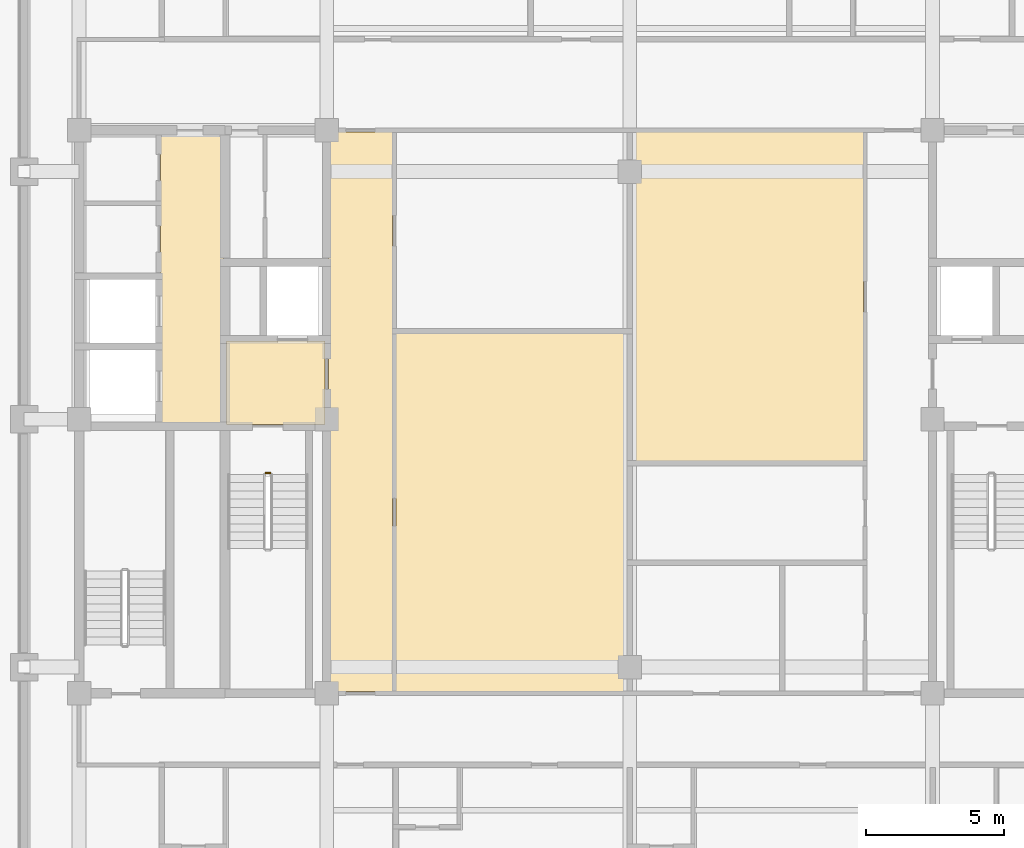
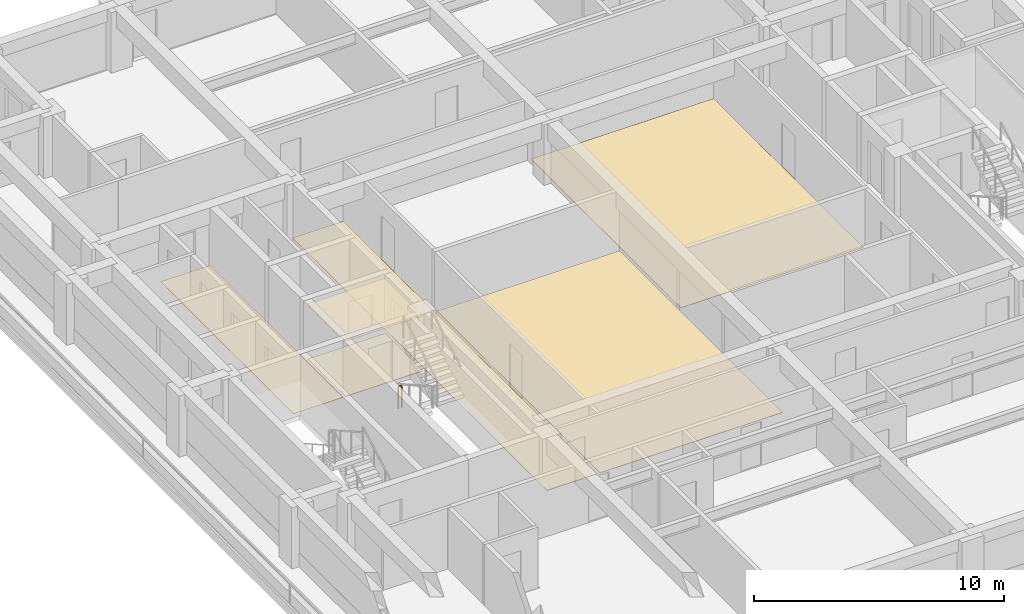
# One storey, part 10 of 13: 6 coverings, 1 railing.
"""IFC4 building model written with IfcOpenShell, lengths in metres."""

from ifc_helpers import new_model, si_unit, direction, frame, origin, origin_2d, place, context, subcontext, project, spatial, polyline, rectangle, outline, extrude, material, layer, layer_set, type_object, element, save


model = new_model("IFC4")

# Units and contexts
model_context = context("Model", 3, precision=1e-05, world=origin(), true_north=direction((0.0, 1.0)))
body_context = subcontext(model_context, "Body", "Model", "MODEL_VIEW")
ifc_project = project(units=[si_unit("LENGTHUNIT", "METRE"), si_unit("AREAUNIT", "SQUARE_METRE"), si_unit("VOLUMEUNIT", "CUBIC_METRE"), si_unit("PLANEANGLEUNIT", "RADIAN"), si_unit("MASSUNIT", "GRAM", prefix="KILO")], contexts=[model_context])

# Site, building, storey
site_placement = place(None, origin())
site = spatial("IfcSite", under=ifc_project, at=site_placement, CompositionType="ELEMENT")
building_placement = place(site_placement, origin())
building = spatial("IfcBuilding", under=site, at=building_placement, Name="Zulmaris Gate Convention Tower", CompositionType="ELEMENT")
storey_placement = place(building_placement, frame((0.0, 0.0, 183.059814453125)))
storey = spatial("IfcBuildingStorey", under=building, at=storey_placement, Name="L47", CompositionType="ELEMENT", Elevation=183.059814453125)

# Coverings
ifc_material_1 = material(Name="Mineral Fibre Acoustic Ceiling Tile")
ifc_layer_1 = layer(ifc_material_1, 0.02001953125, Name="Mineral Fibre Acoustic Ceiling Tile")
ifc_layer_set_1 = layer_set([ifc_layer_1], Name="Mineral Fibre Acoustic Ceiling Tile")
covering_type_1 = type_object("IfcCoveringType", Name="CLG-ACOUSTIC-600", PredefinedType="CEILING", material=ifc_layer_set_1)
covering_1_placement = place(storey_placement, frame((0.0, 0.0, 2.695068359375)))
element("IfcCovering", 1, at=covering_1_placement, inside=storey, type_object=covering_type_1, Name="CLG-L47-R03", PredefinedType="CEILING", context=body_context, shape_type="SweptSolid", body=[
    extrude(outline(polyline([(-14.639892578125, -0.18994140625), (-11.06005859375, -0.18994140625), (-11.06005859375, 2.840087890625), (-14.639892578125, 2.840087890625), (-14.639892578125, -0.18994140625)])), origin(), (0.0, 0.0, 1.0), 0.02001953125),
])
ifc_material_2 = material(Name="Woven Acoustic Wool Carpet Tile")
ifc_layer_2 = layer(ifc_material_2, 0.02001953125, Name="Woven Acoustic Wool Carpet Tile")
ifc_layer_set_2 = layer_set([ifc_layer_2], Name="Woven Acoustic Wool Carpet Tile")
covering_type_2 = type_object("IfcCoveringType", Name="FLR-CARPET-12", PredefinedType="FLOORING", material=ifc_layer_set_2)
covering_2_placement = place(storey_placement, origin())
element("IfcCovering", 2, at=covering_2_placement, inside=storey, type_object=covering_type_2, Name="FLR-L47-R03", PredefinedType="FLOORING", context=body_context, shape_type="SweptSolid", body=[
    extrude(outline(polyline([(-14.639892578125, -0.18994140625), (-11.06005859375, -0.18994140625), (-11.06005859375, 2.840087890625), (-14.639892578125, 2.840087890625), (-14.639892578125, -0.18994140625)])), origin(), (0.0, 0.0, 1.0), 0.02001953125),
])
covering_3_placement = place(storey_placement, origin())
element("IfcCovering", 3, at=covering_3_placement, inside=storey, type_object=covering_type_2, Name="FLR-L47-R18", PredefinedType="FLOORING", context=body_context, shape_type="SweptSolid", body=[
    extrude(outline(polyline([(-17.0400390625, -0.18994140625), (-14.760009765625, -0.18994140625), (-14.760009765625, 10.43994140625), (-17.0400390625, 10.43994140625), (-17.0400390625, -0.18994140625)])), origin(), (0.0, 0.0, 1.0), 0.02001953125),
])
covering_4_placement = place(storey_placement, origin())
element("IfcCovering", 4, at=covering_4_placement, inside=storey, type_object=covering_type_2, Name="FLR-L47-R30", PredefinedType="FLOORING", context=body_context, shape_type="SweptSolid", body=[
    extrude(outline(polyline([(-10.93994140625, -9.889892578125), (-8.610107421875, -9.889892578125), (-8.610107421875, 10.43994140625), (-10.93994140625, 10.43994140625), (-10.93994140625, -9.889892578125)])), origin(), (0.0, 0.0, 1.0), 0.02001953125),
])
covering_5_placement = place(storey_placement, origin())
element("IfcCovering", 5, at=covering_5_placement, inside=storey, type_object=covering_type_2, Name="FLR-L47-R48", PredefinedType="FLOORING", context=body_context, shape_type="SweptSolid", body=[
    extrude(outline(polyline([(-8.489990234375, -9.889892578125), (-0.06005859375, -9.889892578125), (-0.06005859375, 3.139892578125), (-8.489990234375, 3.139892578125), (-8.489990234375, -9.889892578125)])), origin(), (0.0, 0.0, 1.0), 0.02001953125),
])
ifc_material_3 = material(Name="Engineered Teak Parquet Flooring")
ifc_layer_3 = layer(ifc_material_3, 0.02001953125, Name="Engineered Teak Parquet Flooring")
ifc_layer_set_3 = layer_set([ifc_layer_3], Name="Engineered Teak Parquet Flooring")
covering_type_3 = type_object("IfcCoveringType", Name="FLR-TIMBER-18", PredefinedType="FLOORING", material=ifc_layer_set_3)
covering_6_placement = place(storey_placement, origin())
element("IfcCovering", 6, at=covering_6_placement, inside=storey, type_object=covering_type_3, Name="FLR-L47-R49", PredefinedType="FLOORING", context=body_context, shape_type="SweptSolid", body=[
    extrude(outline(polyline([(0.06005859375, -1.5400390625), (8.489990234375, -1.5400390625), (8.489990234375, 10.43994140625), (0.06005859375, 10.43994140625), (0.06005859375, -1.5400390625)])), origin(), (0.0, 0.0, 1.0), 0.02001953125),
])

# Railing
ifc_material_4 = material(Name="Painted Galvanised Steel", Category="steel")
railing_type = type_object("IfcRailingType", Name="RL-STG-1150", PredefinedType="GUARDRAIL", material=ifc_material_4)
railing_placement = place(storey_placement, frame((-13.219970703125, -1.949951171875, 0.0)))
element("IfcRailing", 7, at=railing_placement, inside=storey, type_object=railing_type, Name="L47 ST-1 stair guard 4", PredefinedType="GUARDRAIL", context=body_context, shape_type="SweptSolid", body=[
    extrude(rectangle(XDim=0.048095703125, YDim=0.048095703125, at=origin_2d()), frame((0.0, 0.0, 1.076171875), z_axis=(1.0, 0.0, 0.0), x_axis=(0.0, 1.0, 0.0)), (0.0, 0.0, 1.0), 0.159912109375),
    extrude(rectangle(XDim=0.0419921875, YDim=0.0419921875, at=origin_2d()), origin(), (0.0, 0.0, 1.0), 1.052001953125),
    extrude(rectangle(XDim=0.0419921875, YDim=0.0419921875, at=origin_2d()), frame((0.159912109375, 0.0, 0.0)), (0.0, 0.0, 1.0), 1.052001953125),
])

save(model, "model.ifc")
